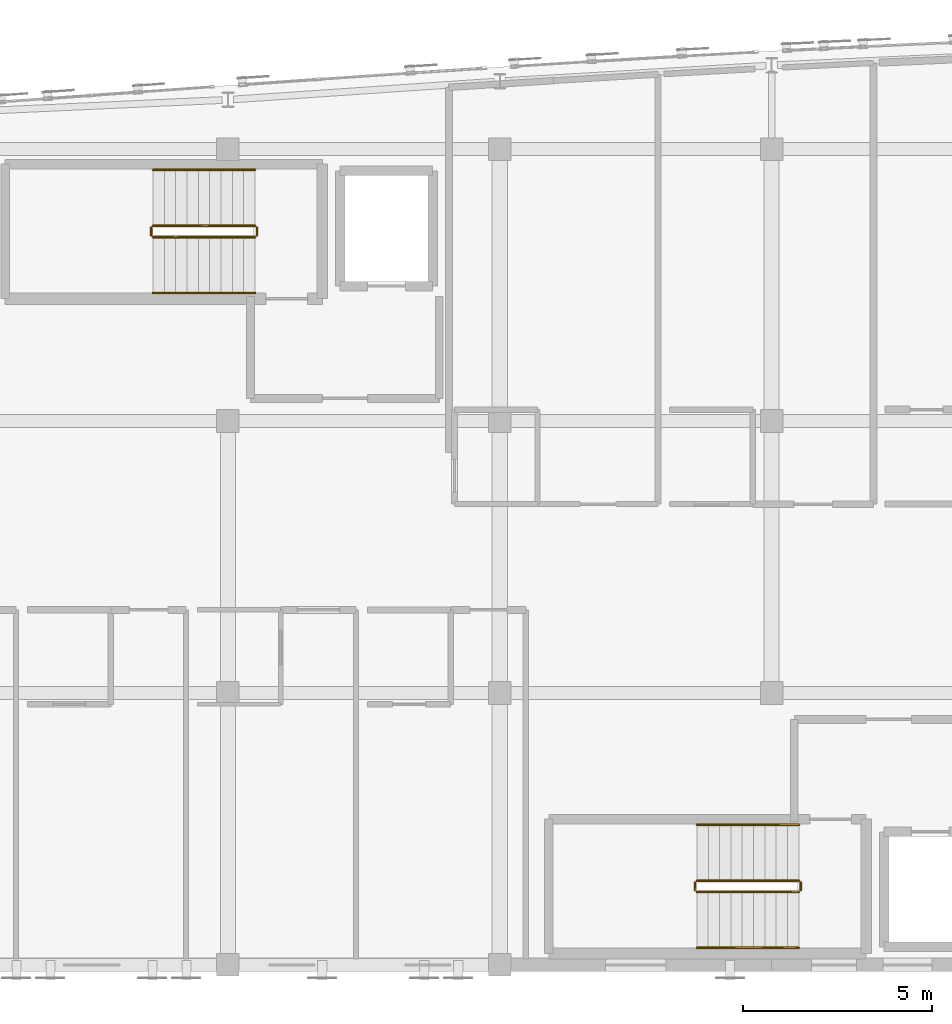
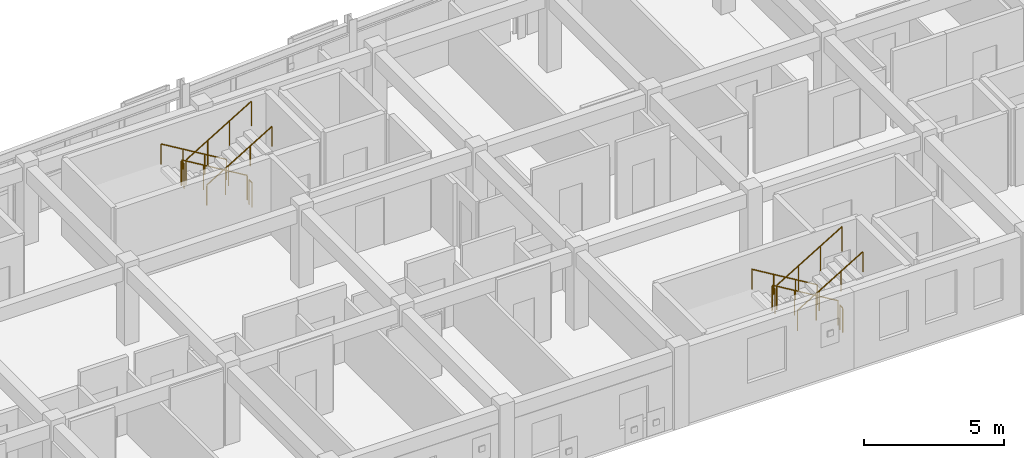
# One storey, part 50 of 51: 12 railings.
"""IFC4 building model written with IfcOpenShell, lengths in metres."""

from ifc_helpers import new_model, si_unit, direction, frame, origin, origin_2d, place, context, subcontext, project, spatial, circle, extrude, material, layer, layer_set, type_object, element, save


model = new_model("IFC4")

# Units and contexts
model_context = context("Model", 3, precision=1e-05, world=origin(), true_north=direction((0.0, 1.0)))
body_context = subcontext(model_context, "Body", "Model", "MODEL_VIEW")
ifc_project = project(units=[si_unit("LENGTHUNIT", "METRE"), si_unit("AREAUNIT", "SQUARE_METRE"), si_unit("VOLUMEUNIT", "CUBIC_METRE"), si_unit("PLANEANGLEUNIT", "RADIAN"), si_unit("MASSUNIT", "GRAM", prefix="KILO")], contexts=[model_context])

# Site, building, storey
site_placement = place(None, origin())
site = spatial("IfcSite", under=ifc_project, at=site_placement, CompositionType="ELEMENT")
building_placement = place(site_placement, origin())
building = spatial("IfcBuilding", under=site, at=building_placement, Name="Carrowvane Square Congress Hotel", CompositionType="ELEMENT")
storey_placement = place(building_placement, frame((0.0, 0.0, 30.0)))
storey = spatial("IfcBuildingStorey", under=building, at=storey_placement, Name="L07", CompositionType="ELEMENT", Elevation=30.0)

# Railings
ifc_material_1 = material(Name="Stainless steel 316", Category="steel")
ifc_layer_1 = layer(ifc_material_1, 0.048095703125)
ifc_layer_set_1 = layer_set([ifc_layer_1], Name="Stainless steel 316")
railing_type_1 = type_object("IfcRailingType", Name="RLG-HR-900", PredefinedType="HANDRAIL", material=ifc_layer_set_1)
railing_1_placement = place(storey_placement, frame((62.719970703125, 112.85009765625, 0.179931640625)))
element("IfcRailing", 1, at=railing_1_placement, inside=storey, type_object=railing_type_1, Name="L07 ST1 stair handrail 1", PredefinedType="HANDRAIL", context=body_context, shape_type="SweptSolid", body=[
    extrude(circle(Radius=0.02392578125, at=origin_2d()), frame((0.0, 0.0, 0.8759765625), z_axis=(-0.857472400752, 0.0, 0.514529962148), x_axis=(0.0, -1.0, 0.0)), (0.0, 0.0, 1.0), 3.148681640625),
    extrude(circle(Radius=0.02099609375, at=origin_2d()), origin(), (0.0, 0.0, 1.0), 0.851806640625),
    extrude(circle(Radius=0.02099609375, at=origin_2d()), frame((-0.89990234375, 0.0, 0.5400390625)), (0.0, 0.0, 1.0), 0.851806640625),
    extrude(circle(Radius=0.02099609375, at=origin_2d()), frame((-1.800048828125, 0.0, 1.080078125)), (0.0, 0.0, 1.0), 0.851806640625),
    extrude(circle(Radius=0.02099609375, at=origin_2d()), frame((-2.699951171875, 0.0, 1.6201171875)), (0.0, 0.0, 1.0), 0.851806640625),
])
railing_2_placement = place(storey_placement, frame((60.02001953125, 109.590087890625, 1.97998046875)))
element("IfcRailing", 2, at=railing_2_placement, inside=storey, type_object=railing_type_1, Name="L07 ST1 stair handrail 2", PredefinedType="HANDRAIL", context=body_context, shape_type="SweptSolid", body=[
    extrude(circle(Radius=0.02392578125, at=origin_2d()), frame((0.0, 0.0, 0.8759765625), z_axis=(0.857472400752, 0.0, 0.514529962148), x_axis=(0.0, 1.0, 0.0)), (0.0, 0.0, 1.0), 3.148681640625),
    extrude(circle(Radius=0.02099609375, at=origin_2d()), origin(), (0.0, 0.0, 1.0), 0.851806640625),
    extrude(circle(Radius=0.02099609375, at=origin_2d()), frame((0.89990234375, 0.0, 0.5400390625)), (0.0, 0.0, 1.0), 0.851806640625),
    extrude(circle(Radius=0.02099609375, at=origin_2d()), frame((1.800048828125, 0.0, 1.080078125)), (0.0, 0.0, 1.0), 0.851806640625),
    extrude(circle(Radius=0.02099609375, at=origin_2d()), frame((2.699951171875, 0.0, 1.6201171875)), (0.0, 0.0, 1.0), 0.851806640625),
])
railing_3_placement = place(storey_placement, frame((77.1201171875, 95.510009765625, 0.179931640625)))
element("IfcRailing", 3, at=railing_3_placement, inside=storey, type_object=railing_type_1, Name="L07 ST2 stair handrail 1", PredefinedType="HANDRAIL", context=body_context, shape_type="SweptSolid", body=[
    extrude(circle(Radius=0.02392578125, at=origin_2d()), frame((0.0, 0.0, 0.8759765625), z_axis=(-0.857492925713, 0.0, 0.514495755428), x_axis=(0.0, -1.0, 0.0)), (0.0, 0.0, 1.0), 3.14892578125),
    extrude(circle(Radius=0.02099609375, at=origin_2d()), origin(), (0.0, 0.0, 1.0), 0.851806640625),
    extrude(circle(Radius=0.02099609375, at=origin_2d()), frame((-0.900146484375, 0.0, 0.5400390625)), (0.0, 0.0, 1.0), 0.851806640625),
    extrude(circle(Radius=0.02099609375, at=origin_2d()), frame((-1.800048828125, 0.0, 1.080078125)), (0.0, 0.0, 1.0), 0.851806640625),
    extrude(circle(Radius=0.02099609375, at=origin_2d()), frame((-2.7001953125, 0.0, 1.6201171875)), (0.0, 0.0, 1.0), 0.851806640625),
])
railing_4_placement = place(storey_placement, frame((74.419921875, 92.25, 1.97998046875)))
element("IfcRailing", 4, at=railing_4_placement, inside=storey, type_object=railing_type_1, Name="L07 ST2 stair handrail 2", PredefinedType="HANDRAIL", context=body_context, shape_type="SweptSolid", body=[
    extrude(circle(Radius=0.02392578125, at=origin_2d()), frame((0.0, 0.0, 0.8759765625), z_axis=(0.857492925713, 0.0, 0.514495755428), x_axis=(0.0, 1.0, 0.0)), (0.0, 0.0, 1.0), 3.14892578125),
    extrude(circle(Radius=0.02099609375, at=origin_2d()), origin(), (0.0, 0.0, 1.0), 0.851806640625),
    extrude(circle(Radius=0.02099609375, at=origin_2d()), frame((0.900146484375, 0.0, 0.5400390625)), (0.0, 0.0, 1.0), 0.851806640625),
    extrude(circle(Radius=0.02099609375, at=origin_2d()), frame((1.800048828125, 0.0, 1.080078125)), (0.0, 0.0, 1.0), 0.851806640625),
    extrude(circle(Radius=0.02099609375, at=origin_2d()), frame((2.7001953125, 0.0, 1.6201171875)), (0.0, 0.0, 1.0), 0.851806640625),
])
ifc_material_2 = material(Name="Galvanised steel", Category="steel")
ifc_layer_2 = layer(ifc_material_2, 0.048095703125)
ifc_layer_set_2 = layer_set([ifc_layer_2], Name="Galvanised steel")
railing_type_2 = type_object("IfcRailingType", Name="RLG-STG-1100", PredefinedType="GUARDRAIL", material=ifc_layer_set_2)
railing_5_placement = place(storey_placement, frame((62.719970703125, 111.3701171875, 0.179931640625)))
element("IfcRailing", 5, at=railing_5_placement, inside=storey, type_object=railing_type_2, Name="L07 ST1 stair guard 1", PredefinedType="GUARDRAIL", context=body_context, shape_type="SweptSolid", body=[
    extrude(circle(Radius=0.02392578125, at=origin_2d()), frame((0.0, 0.0, 1.076171875), z_axis=(-0.857472400752, 0.0, 0.514529962148), x_axis=(0.0, -1.0, 0.0)), (0.0, 0.0, 1.0), 3.148681640625),
    extrude(circle(Radius=0.02099609375, at=origin_2d()), origin(), (0.0, 0.0, 1.0), 1.052001953125),
    extrude(circle(Radius=0.02099609375, at=origin_2d()), frame((-0.89990234375, 0.0, 0.5400390625)), (0.0, 0.0, 1.0), 1.052001953125),
    extrude(circle(Radius=0.02099609375, at=origin_2d()), frame((-1.800048828125, 0.0, 1.080078125)), (0.0, 0.0, 1.0), 1.052001953125),
    extrude(circle(Radius=0.02099609375, at=origin_2d()), frame((-2.699951171875, 0.0, 1.6201171875)), (0.0, 0.0, 1.0), 1.052001953125),
])
railing_6_placement = place(storey_placement, frame((59.969970703125, 111.320068359375, 1.800048828125)))
element("IfcRailing", 6, at=railing_6_placement, inside=storey, type_object=railing_type_2, Name="L07 ST1 stair guard 2", PredefinedType="GUARDRAIL", context=body_context, shape_type="SweptSolid", body=[
    extrude(circle(Radius=0.02392578125, at=origin_2d()), frame((0.0, 0.0, 1.076171875), z_axis=(0.0, -1.0, 0.0), x_axis=(1.0, 0.0, 0.0)), (0.0, 0.0, 1.0), 0.199951171875),
    extrude(circle(Radius=0.02099609375, at=origin_2d()), origin(), (0.0, 0.0, 1.0), 1.052001953125),
    extrude(circle(Radius=0.02099609375, at=origin_2d()), frame((0.0, -0.199951171875, 0.0)), (0.0, 0.0, 1.0), 1.052001953125),
])
railing_7_placement = place(storey_placement, frame((60.02001953125, 111.070068359375, 1.97998046875)))
element("IfcRailing", 7, at=railing_7_placement, inside=storey, type_object=railing_type_2, Name="L07 ST1 stair guard 3", PredefinedType="GUARDRAIL", context=body_context, shape_type="SweptSolid", body=[
    extrude(circle(Radius=0.02392578125, at=origin_2d()), frame((0.0, 0.0, 1.076171875), z_axis=(0.857472400752, 0.0, 0.514529962148), x_axis=(0.0, 1.0, 0.0)), (0.0, 0.0, 1.0), 3.148681640625),
    extrude(circle(Radius=0.02099609375, at=origin_2d()), origin(), (0.0, 0.0, 1.0), 1.052001953125),
    extrude(circle(Radius=0.02099609375, at=origin_2d()), frame((0.89990234375, 0.0, 0.5400390625)), (0.0, 0.0, 1.0), 1.052001953125),
    extrude(circle(Radius=0.02099609375, at=origin_2d()), frame((1.800048828125, 0.0, 1.080078125)), (0.0, 0.0, 1.0), 1.052001953125),
    extrude(circle(Radius=0.02099609375, at=origin_2d()), frame((2.699951171875, 0.0, 1.6201171875)), (0.0, 0.0, 1.0), 1.052001953125),
])
railing_8_placement = place(storey_placement, frame((62.77001953125, 111.320068359375, 0.0)))
element("IfcRailing", 8, at=railing_8_placement, inside=storey, type_object=railing_type_2, Name="L07 ST1 stair guard 4", PredefinedType="GUARDRAIL", context=body_context, shape_type="SweptSolid", body=[
    extrude(circle(Radius=0.02392578125, at=origin_2d()), frame((0.0, 0.0, 1.076171875), z_axis=(0.0, -1.0, 0.0), x_axis=(1.0, 0.0, 0.0)), (0.0, 0.0, 1.0), 0.199951171875),
    extrude(circle(Radius=0.02099609375, at=origin_2d()), origin(), (0.0, 0.0, 1.0), 1.052001953125),
    extrude(circle(Radius=0.02099609375, at=origin_2d()), frame((0.0, -0.199951171875, 0.0)), (0.0, 0.0, 1.0), 1.052001953125),
])
railing_9_placement = place(storey_placement, frame((77.1201171875, 94.030029296875, 0.179931640625)))
element("IfcRailing", 9, at=railing_9_placement, inside=storey, type_object=railing_type_2, Name="L07 ST2 stair guard 1", PredefinedType="GUARDRAIL", context=body_context, shape_type="SweptSolid", body=[
    extrude(circle(Radius=0.02392578125, at=origin_2d()), frame((0.0, 0.0, 1.076171875), z_axis=(-0.857492925713, 0.0, 0.514495755428), x_axis=(0.0, -1.0, 0.0)), (0.0, 0.0, 1.0), 3.14892578125),
    extrude(circle(Radius=0.02099609375, at=origin_2d()), origin(), (0.0, 0.0, 1.0), 1.052001953125),
    extrude(circle(Radius=0.02099609375, at=origin_2d()), frame((-0.900146484375, 0.0, 0.5400390625)), (0.0, 0.0, 1.0), 1.052001953125),
    extrude(circle(Radius=0.02099609375, at=origin_2d()), frame((-1.800048828125, 0.0, 1.080078125)), (0.0, 0.0, 1.0), 1.052001953125),
    extrude(circle(Radius=0.02099609375, at=origin_2d()), frame((-2.7001953125, 0.0, 1.6201171875)), (0.0, 0.0, 1.0), 1.052001953125),
])
railing_10_placement = place(storey_placement, frame((74.3701171875, 93.97998046875, 1.800048828125)))
element("IfcRailing", 10, at=railing_10_placement, inside=storey, type_object=railing_type_2, Name="L07 ST2 stair guard 2", PredefinedType="GUARDRAIL", context=body_context, shape_type="SweptSolid", body=[
    extrude(circle(Radius=0.02392578125, at=origin_2d()), frame((0.0, 0.0, 1.076171875), z_axis=(0.0, -1.0, 0.0), x_axis=(1.0, 0.0, 0.0)), (0.0, 0.0, 1.0), 0.199951171875),
    extrude(circle(Radius=0.02099609375, at=origin_2d()), origin(), (0.0, 0.0, 1.0), 1.052001953125),
    extrude(circle(Radius=0.02099609375, at=origin_2d()), frame((0.0, -0.199951171875, 0.0)), (0.0, 0.0, 1.0), 1.052001953125),
])
railing_11_placement = place(storey_placement, frame((74.419921875, 93.72998046875, 1.97998046875)))
element("IfcRailing", 11, at=railing_11_placement, inside=storey, type_object=railing_type_2, Name="L07 ST2 stair guard 3", PredefinedType="GUARDRAIL", context=body_context, shape_type="SweptSolid", body=[
    extrude(circle(Radius=0.02392578125, at=origin_2d()), frame((0.0, 0.0, 1.076171875), z_axis=(0.857492925713, 0.0, 0.514495755428), x_axis=(0.0, 1.0, 0.0)), (0.0, 0.0, 1.0), 3.14892578125),
    extrude(circle(Radius=0.02099609375, at=origin_2d()), origin(), (0.0, 0.0, 1.0), 1.052001953125),
    extrude(circle(Radius=0.02099609375, at=origin_2d()), frame((0.900146484375, 0.0, 0.5400390625)), (0.0, 0.0, 1.0), 1.052001953125),
    extrude(circle(Radius=0.02099609375, at=origin_2d()), frame((1.800048828125, 0.0, 1.080078125)), (0.0, 0.0, 1.0), 1.052001953125),
    extrude(circle(Radius=0.02099609375, at=origin_2d()), frame((2.7001953125, 0.0, 1.6201171875)), (0.0, 0.0, 1.0), 1.052001953125),
])
railing_12_placement = place(storey_placement, frame((77.169921875, 93.97998046875, 0.0)))
element("IfcRailing", 12, at=railing_12_placement, inside=storey, type_object=railing_type_2, Name="L07 ST2 stair guard 4", PredefinedType="GUARDRAIL", context=body_context, shape_type="SweptSolid", body=[
    extrude(circle(Radius=0.02392578125, at=origin_2d()), frame((0.0, 0.0, 1.076171875), z_axis=(0.0, -1.0, 0.0), x_axis=(1.0, 0.0, 0.0)), (0.0, 0.0, 1.0), 0.199951171875),
    extrude(circle(Radius=0.02099609375, at=origin_2d()), origin(), (0.0, 0.0, 1.0), 1.052001953125),
    extrude(circle(Radius=0.02099609375, at=origin_2d()), frame((0.0, -0.199951171875, 0.0)), (0.0, 0.0, 1.0), 1.052001953125),
])

save(model, "model.ifc")
